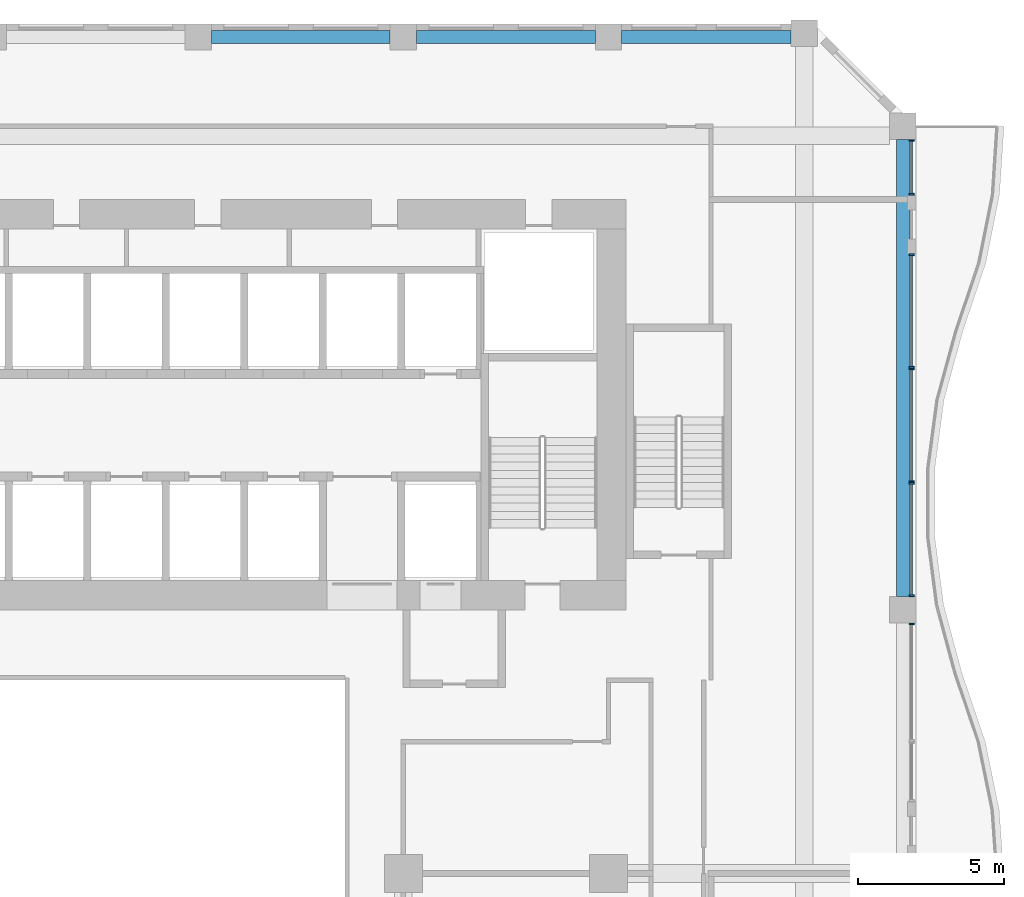
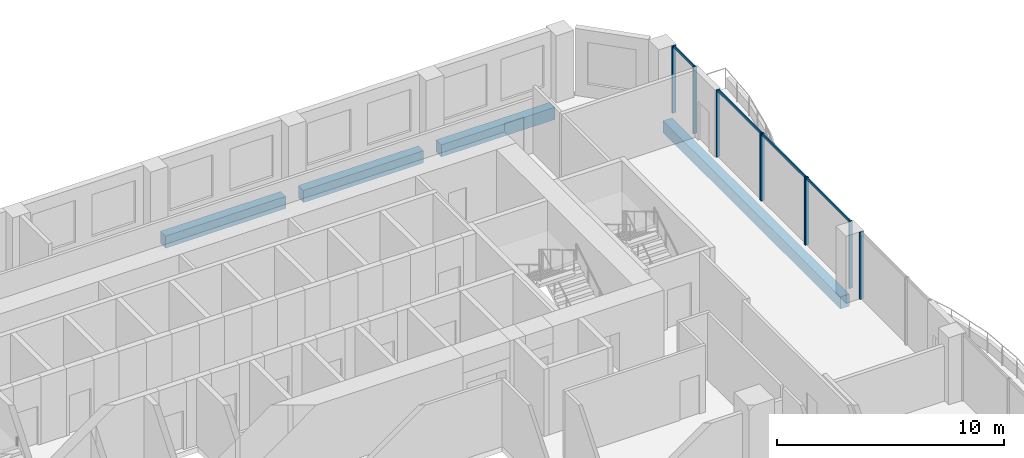
# One storey, part 10 of 23: 13 members, 4 beams, 5 elements without a shape of their own.
"""IFC4 building model written with IfcOpenShell, lengths in metres."""

from ifc_helpers import new_model, si_unit, direction, frame, origin, origin_2d, place, context, subcontext, project, spatial, rectangle, extrude, source, transform, mapped, material, material_profile, profile_set, type_object, element, aggregate, save


model = new_model("IFC4")

# Units and contexts
model_context = context("Model", 3, precision=1e-05, world=origin(), true_north=direction((0.0, 1.0)))
body_context = subcontext(model_context, "Body", "Model", "MODEL_VIEW")
ifc_project = project(units=[si_unit("LENGTHUNIT", "METRE"), si_unit("AREAUNIT", "SQUARE_METRE"), si_unit("VOLUMEUNIT", "CUBIC_METRE"), si_unit("PLANEANGLEUNIT", "RADIAN"), si_unit("MASSUNIT", "GRAM", prefix="KILO")], contexts=[model_context])

# Site, building, storey
site_placement = place(None, origin())
site = spatial("IfcSite", under=ifc_project, at=site_placement, CompositionType="ELEMENT")
building_placement = place(site_placement, origin())
building = spatial("IfcBuilding", under=site, at=building_placement, Name="Kilnfold Tower and Market Hall", CompositionType="ELEMENT")
storey_placement = place(building_placement, frame((0.0, 0.0, 55.0)))
storey = spatial("IfcBuildingStorey", under=building, at=storey_placement, Name="L12", CompositionType="ELEMENT", Elevation=55.0)

# Beams
ifc_material_1 = material(Name="Concrete C45", Category="concrete")
ifc_material_profile_1 = material_profile(ifc_material_1, rectangle(XDim=0.449951171875, YDim=0.64990234375, at=origin_2d()), Name="RC 450x650")
ifc_profile_set_1 = profile_set([ifc_material_profile_1], Name="Concrete C45")
beam_type = type_object("IfcBeamType", Name="EDGE BEAM 450X650 C45", PredefinedType="BEAM", material=ifc_profile_set_1)
shared_shape_1 = source(origin(), body_context, "Body", "SweptSolid", [
    extrude(rectangle(XDim=0.449951171875, YDim=0.64990234375, at=origin_2d()), origin(), (0.0, 0.0, 1.0), 6.10009765625),
])
for number, where, z_axis, x_axis, name in (
    (1, (3.949951171875, 27.550048828125, -0.60498046875), (1.0, 0.0, 0.0), (0.0, 1.0, 0.0), "Beam EB650-B1.27"),
    (2, (10.949951171875, 27.550048828125, -0.60498046875), (1.0, 0.0, 0.0), (0.0, 1.0, 0.0), "Beam EB650-B1.28"),
):
    element("IfcBeam", number, at=place(storey_placement, frame(where, z_axis=z_axis, x_axis=x_axis)), inside=storey, type_object=beam_type, Name=name, PredefinedType="BEAM", context=body_context, shape_type="MappedRepresentation", body=[
        mapped(shared_shape_1, transform((0.0, 0.0, 0.0))),
    ])
shared_shape_2 = source(origin(), body_context, "Body", "SweptSolid", [
    extrude(rectangle(XDim=0.449951171875, YDim=0.64990234375, at=origin_2d()), origin(), (0.0, 0.0, 1.0), 5.78173828125),
])
beam_1_placement = place(storey_placement, frame((17.949951171875, 27.550048828125, -0.60498046875), z_axis=(1.0, 0.0, 0.0), x_axis=(0.0, 1.0, 0.0)))
element("IfcBeam", 3, at=beam_1_placement, inside=storey, type_object=beam_type, Name="Beam EB650-B1.29", PredefinedType="BEAM", context=body_context, shape_type="MappedRepresentation", body=[
    mapped(shared_shape_2, transform((0.0, 0.0, 0.0))),
])
shared_shape_3 = source(origin(), body_context, "Body", "SweptSolid", [
    extrude(rectangle(XDim=0.449951171875, YDim=0.64990234375, at=origin_2d()), origin(), (0.0, 0.0, 1.0), 15.60009765625),
])
beam_2_placement = place(storey_placement, frame((27.550048828125, 8.449951171875, -0.60498046875), z_axis=(0.0, 1.0, 0.0), x_axis=(-1.0, 0.0, 0.0)))
element("IfcBeam", 4, at=beam_2_placement, inside=storey, type_object=beam_type, Name="Beam EB650-B1.59", PredefinedType="BEAM", context=body_context, shape_type="MappedRepresentation", body=[
    mapped(shared_shape_3, transform((0.0, 0.0, 0.0))),
])

# Curtain wall, member
ifc_material_2 = material(Name="Aluminium and double glazing", Category="aluminium")
curtain_wall_type = type_object("IfcCurtainWallType", Name="CW OF1 VALLEY GLAZING", PredefinedType="NOTDEFINED", material=ifc_material_2)
curtain_wall_1_placement = place(storey_placement, origin())
curtain_wall_1 = element("IfcCurtainWall", 5, at=curtain_wall_1_placement, inside=storey, type_object=curtain_wall_type, Name="Curtain wall CW1 L12 E", PredefinedType="NOTDEFINED")
ifc_material_3 = material(Name="Aluminium", Category="aluminium")
ifc_material_profile_2 = material_profile(ifc_material_3, rectangle(XDim=0.06005859375, YDim=0.139892578125, at=origin_2d()), Name="TRANSOM 60x140")
ifc_profile_set_2 = profile_set([ifc_material_profile_2], Name="Aluminium")
member_type_1 = type_object("IfcMemberType", Name="TRANSOM 60X140", PredefinedType="USERDEFINED", material=ifc_profile_set_2)
shared_shape_4 = source(origin(), body_context, "Body", "SweptSolid", [
    extrude(rectangle(XDim=0.06005859375, YDim=0.139892578125, at=origin_2d()), origin(), (0.0, 0.0, 1.0), 3.780029296875),
])
member_1_placement = place(storey_placement, frame((27.85009765625, 8.510009765625, 3.570068359375), z_axis=(0.0, 1.0, 0.0), x_axis=(-1.0, 0.0, 0.0)))
member_1 = element("IfcMember", 6, at=member_1_placement, type_object=member_type_1, Name="CW1 transom 1.2", ObjectType="TRANSOM", PredefinedType="USERDEFINED", context=body_context, shape_type="MappedRepresentation", body=[
    mapped(shared_shape_4, transform((0.0, 0.0, 0.0))),
])

curtain_wall_2_placement = place(storey_placement, origin())
curtain_wall_2 = element("IfcCurtainWall", 7, at=curtain_wall_2_placement, inside=storey, type_object=curtain_wall_type, Name="Curtain wall CW1 L12 E", PredefinedType="NOTDEFINED")
member_2_placement = place(storey_placement, frame((27.85009765625, 12.409912109375, 3.570068359375), z_axis=(0.0, 1.0, 0.0), x_axis=(-1.0, 0.0, 0.0)))
member_2 = element("IfcMember", 8, at=member_2_placement, type_object=member_type_1, Name="CW1 transom 1.2", ObjectType="TRANSOM", PredefinedType="USERDEFINED", context=body_context, shape_type="MappedRepresentation", body=[
    mapped(shared_shape_4, transform((0.0, 0.0, 0.0))),
])

curtain_wall_3_placement = place(storey_placement, origin())
curtain_wall_3 = element("IfcCurtainWall", 9, at=curtain_wall_3_placement, inside=storey, type_object=curtain_wall_type, Name="Curtain wall CW1 L12 E", PredefinedType="NOTDEFINED")
member_3_placement = place(storey_placement, frame((27.85009765625, 16.31005859375, 3.570068359375), z_axis=(0.0, 1.0, 0.0), x_axis=(-1.0, 0.0, 0.0)))
member_3 = element("IfcMember", 10, at=member_3_placement, type_object=member_type_1, Name="CW1 transom 1.2", ObjectType="TRANSOM", PredefinedType="USERDEFINED", context=body_context, shape_type="MappedRepresentation", body=[
    mapped(shared_shape_4, transform((0.0, 0.0, 0.0))),
])

curtain_wall_4_placement = place(storey_placement, origin())
curtain_wall_4 = element("IfcCurtainWall", 11, at=curtain_wall_4_placement, inside=storey, type_object=curtain_wall_type, Name="Curtain wall CW1 L12 E", PredefinedType="NOTDEFINED")
shared_shape_5 = source(origin(), body_context, "Body", "SweptSolid", [
    extrude(rectangle(XDim=0.06005859375, YDim=0.139892578125, at=origin_2d()), origin(), (0.0, 0.0, 1.0), 1.780029296875),
])
member_4_placement = place(storey_placement, frame((27.85009765625, 22.2099609375, 3.570068359375), z_axis=(0.0, 1.0, 0.0), x_axis=(-1.0, 0.0, 0.0)))
member_4 = element("IfcMember", 12, at=member_4_placement, type_object=member_type_1, Name="CW1 transom 1.2", ObjectType="TRANSOM", PredefinedType="USERDEFINED", context=body_context, shape_type="MappedRepresentation", body=[
    mapped(shared_shape_5, transform((0.0, 0.0, 0.0))),
])

curtain_wall_5_placement = place(storey_placement, origin())
curtain_wall_5 = element("IfcCurtainWall", 13, at=curtain_wall_5_placement, inside=storey, type_object=curtain_wall_type, Name="Curtain wall CW1 L12 E", PredefinedType="NOTDEFINED")
ifc_material_4 = material(Name="Aluminium", Category="aluminium")
ifc_material_profile_3 = material_profile(ifc_material_4, rectangle(XDim=0.06005859375, YDim=0.179931640625, at=origin_2d()), Name="MULLION 60x180")
ifc_profile_set_3 = profile_set([ifc_material_profile_3], Name="Aluminium")
member_type_2 = type_object("IfcMemberType", Name="MULLION 60X180", PredefinedType="MULLION", material=ifc_profile_set_3)
shared_shape_6 = source(origin(), body_context, "Body", "SweptSolid", [
    extrude(rectangle(XDim=0.06005859375, YDim=0.179931640625, at=origin_2d()), origin(), (0.0, 0.0, 1.0), 3.60009765625),
])
member_5_placement = place(storey_placement, frame((27.85009765625, 7.52001953125, 0.0), z_axis=(0.0, 0.0, 1.0), x_axis=(0.0, 1.0, 0.0)))
member_5 = element("IfcMember", 14, at=member_5_placement, type_object=member_type_2, Name="CW1 mullion 2", PredefinedType="MULLION", context=body_context, shape_type="MappedRepresentation", body=[
    mapped(shared_shape_6, transform((0.0, 0.0, 0.0))),
])
aggregate(curtain_wall_5, [member_5])

# Member
member_6_placement = place(storey_placement, frame((27.85009765625, 8.47998046875, 0.0), z_axis=(0.0, 0.0, 1.0), x_axis=(0.0, 1.0, 0.0)))
member_6 = element("IfcMember", 15, at=member_6_placement, type_object=member_type_2, Name="CW1 mullion 1", PredefinedType="MULLION", context=body_context, shape_type="MappedRepresentation", body=[
    mapped(shared_shape_6, transform((0.0, 0.0, 0.0))),
])

member_7_placement = place(storey_placement, frame((27.85009765625, 12.320068359375, 0.0), z_axis=(0.0, 0.0, 1.0), x_axis=(0.0, 1.0, 0.0)))
member_7 = element("IfcMember", 16, at=member_7_placement, type_object=member_type_2, Name="CW1 mullion 2", PredefinedType="MULLION", context=body_context, shape_type="MappedRepresentation", body=[
    mapped(shared_shape_6, transform((0.0, 0.0, 0.0))),
])

aggregate(curtain_wall_1, [member_6, member_7, member_1])

member_8_placement = place(storey_placement, frame((27.85009765625, 12.3798828125, 0.0), z_axis=(0.0, 0.0, 1.0), x_axis=(0.0, 1.0, 0.0)))
member_8 = element("IfcMember", 17, at=member_8_placement, type_object=member_type_2, Name="CW1 mullion 1", PredefinedType="MULLION", context=body_context, shape_type="MappedRepresentation", body=[
    mapped(shared_shape_6, transform((0.0, 0.0, 0.0))),
])

member_9_placement = place(storey_placement, frame((27.85009765625, 16.219970703125, 0.0), z_axis=(0.0, 0.0, 1.0), x_axis=(0.0, 1.0, 0.0)))
member_9 = element("IfcMember", 18, at=member_9_placement, type_object=member_type_2, Name="CW1 mullion 2", PredefinedType="MULLION", context=body_context, shape_type="MappedRepresentation", body=[
    mapped(shared_shape_6, transform((0.0, 0.0, 0.0))),
])

aggregate(curtain_wall_2, [member_8, member_9, member_2])

member_10_placement = place(storey_placement, frame((27.85009765625, 16.280029296875, 0.0), z_axis=(0.0, 0.0, 1.0), x_axis=(0.0, 1.0, 0.0)))
member_10 = element("IfcMember", 19, at=member_10_placement, type_object=member_type_2, Name="CW1 mullion 1", PredefinedType="MULLION", context=body_context, shape_type="MappedRepresentation", body=[
    mapped(shared_shape_6, transform((0.0, 0.0, 0.0))),
])

member_11_placement = place(storey_placement, frame((27.85009765625, 20.1201171875, 0.0), z_axis=(0.0, 0.0, 1.0), x_axis=(0.0, 1.0, 0.0)))
member_11 = element("IfcMember", 20, at=member_11_placement, type_object=member_type_2, Name="CW1 mullion 2", PredefinedType="MULLION", context=body_context, shape_type="MappedRepresentation", body=[
    mapped(shared_shape_6, transform((0.0, 0.0, 0.0))),
])

aggregate(curtain_wall_3, [member_10, member_11, member_3])

member_12_placement = place(storey_placement, frame((27.85009765625, 22.179931640625, 0.0), z_axis=(0.0, 0.0, 1.0), x_axis=(0.0, 1.0, 0.0)))
member_12 = element("IfcMember", 21, at=member_12_placement, type_object=member_type_2, Name="CW1 mullion 1", PredefinedType="MULLION", context=body_context, shape_type="MappedRepresentation", body=[
    mapped(shared_shape_6, transform((0.0, 0.0, 0.0))),
])

member_13_placement = place(storey_placement, frame((27.85009765625, 24.02001953125, 0.0), z_axis=(0.0, 0.0, 1.0), x_axis=(0.0, 1.0, 0.0)))
member_13 = element("IfcMember", 22, at=member_13_placement, type_object=member_type_2, Name="CW1 mullion 2", PredefinedType="MULLION", context=body_context, shape_type="MappedRepresentation", body=[
    mapped(shared_shape_6, transform((0.0, 0.0, 0.0))),
])

aggregate(curtain_wall_4, [member_12, member_13, member_4])

save(model, "model.ifc")
